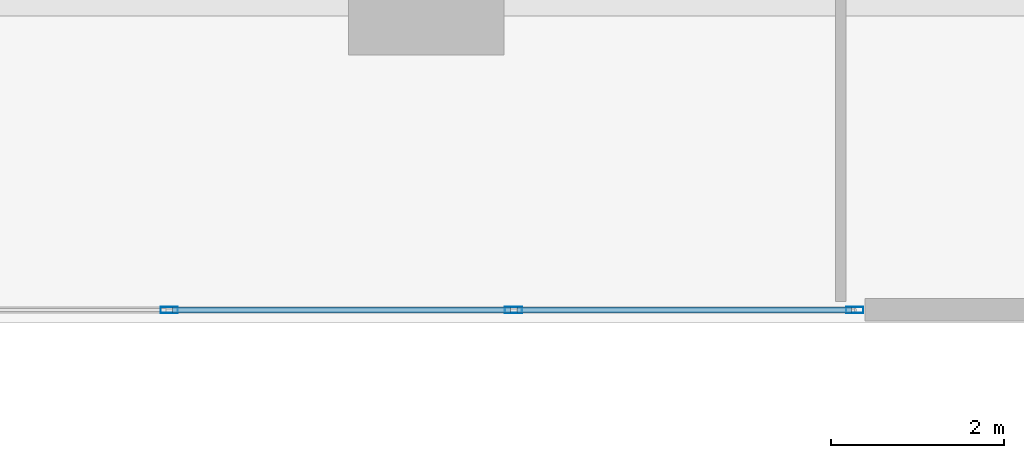
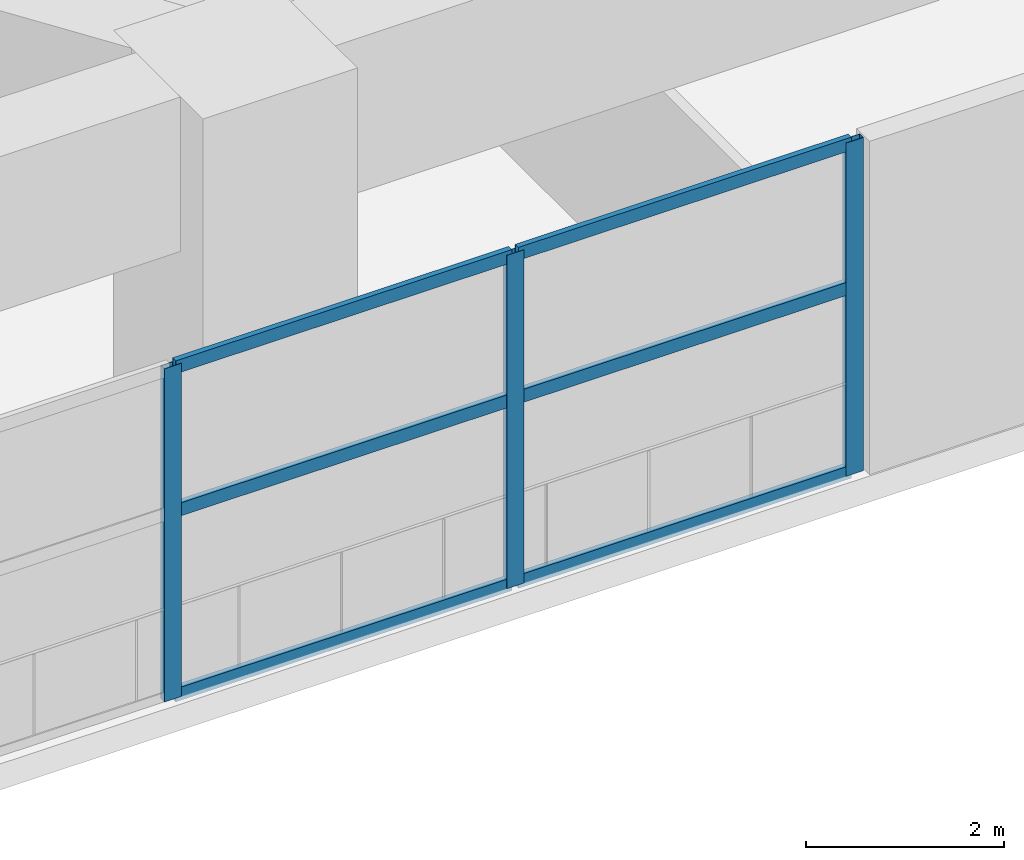
# One storey, part 8 of 27: 9 members, 1 element without a shape of its own.
"""IFC4 building model written with IfcOpenShell, lengths in metres."""

import ifcopenshell
import ifcopenshell.guid

model = None  # the IFC model being written
_history = None  # IfcOwnerHistory: only IFC2X3 demands one
_inside = {}  # id of a spatial element -> (the spatial element, [elements in it])
_under = {}  # id of a project, library or spatial element -> (it, [spatial elements below it])
_declared = {}  # id of a project -> (the project, [libraries it declares])
_typed = {}  # id of a type object -> (the type object, [elements of that type])
_made_of = {}  # id of a material, layer set ... -> (it, [elements and type objects made of it])


def new_model(schema):
    """Start an empty IFC model of exactly this schema.

    Asked for "IFC4X3", IfcOpenShell would pick the latest addendum, in which some entities
    have other attributes; the version numbers below select the first issue.
    IFC2X3 requires an IfcOwnerHistory on every rooted entity: one is made here for all.
    """
    global model, _history
    if schema == "IFC4X3":
        model = ifcopenshell.file(schema_version=(4, 3, 0, 0))
    else:
        model = ifcopenshell.file(schema=schema)
    _inside.clear()
    _under.clear()
    _declared.clear()
    _typed.clear()
    _made_of.clear()
    _history = None
    if model.schema == "IFC2X3":
        org = make("IfcOrganization", Name="unknown")
        user = make(
            "IfcPersonAndOrganization",
            ThePerson=make("IfcPerson", FamilyName="unknown"),
            TheOrganization=org,
        )
        app = make(
            "IfcApplication",
            ApplicationDeveloper=org,
            Version="unknown",
            ApplicationFullName="unknown",
            ApplicationIdentifier="unknown",
        )
        _history = make(
            "IfcOwnerHistory",
            OwningUser=user,
            OwningApplication=app,
            ChangeAction="ADDED",
            CreationDate=0,
        )
    return model


def make(cls, **values):
    """One entity of the class cls with the attributes given. An attribute that is None is left unset."""
    return model.create_entity(
        cls, **{name: value for name, value in values.items() if value is not None}
    )


def rooted(cls, **values):
    """An entity with a GlobalId (a new one), such as an element, a storey or a relation."""
    return make(cls, GlobalId=ifcopenshell.guid.new(), OwnerHistory=_history, **values)


def si_unit(unit_type, name, prefix=None):
    """IfcSIUnit, for example si_unit("LENGTHUNIT", "METRE", prefix="MILLI")."""
    return make("IfcSIUnit", UnitType=unit_type, Prefix=prefix, Name=name)


def assignment(units):
    """IfcUnitAssignment: the units of a project."""
    return None if units is None else make("IfcUnitAssignment", Units=units)


def point(xyz):
    """IfcCartesianPoint."""
    return None if xyz is None else make("IfcCartesianPoint", Coordinates=xyz)


def direction(xyz):
    """IfcDirection."""
    return None if xyz is None else make("IfcDirection", DirectionRatios=xyz)


def frame(location, z_axis=None, x_axis=None):
    """IfcAxis2Placement3D, a coordinate frame: its origin and axes. An axis left out is left unset."""
    return make(
        "IfcAxis2Placement3D",
        Location=point(location),
        Axis=direction(z_axis),
        RefDirection=direction(x_axis),
    )


def frame_2d(location, x_axis=None):
    """IfcAxis2Placement2D, a coordinate frame in the plane: its origin and x axis."""
    return make(
        "IfcAxis2Placement2D", Location=point(location), RefDirection=direction(x_axis)
    )


def origin():
    """The frame at (0, 0, 0) with its axes left unset."""
    return frame((0.0, 0.0, 0.0))


def origin_2d():
    """The frame at (0, 0) in the plane with its x axis left unset."""
    return frame_2d((0.0, 0.0))


def place(relative_to, where):
    """IfcLocalPlacement: puts the frame where relative to a parent placement (None: the world)."""
    return make(
        "IfcLocalPlacement", PlacementRelTo=relative_to, RelativePlacement=where
    )


def context(
    kind, dimensions, precision=None, world=None, true_north=None, identifier=None
):
    """IfcGeometricRepresentationContext, for example the 3D "Model" context."""
    return make(
        "IfcGeometricRepresentationContext",
        ContextIdentifier=identifier,
        ContextType=kind,
        CoordinateSpaceDimension=dimensions,
        Precision=precision,
        WorldCoordinateSystem=world,
        TrueNorth=true_north,
    )


def subcontext(parent, identifier, kind, view, scale=None):
    """IfcGeometricRepresentationSubContext, for example "Body" below "Model"."""
    return make(
        "IfcGeometricRepresentationSubContext",
        ContextIdentifier=identifier,
        ContextType=kind,
        ParentContext=parent,
        TargetScale=scale,
        TargetView=view,
    )


def project(units=None, contexts=None):
    """IfcProject with its units and contexts."""
    return rooted(
        "IfcProject",
        Name="project",
        RepresentationContexts=contexts,
        UnitsInContext=assignment(units),
    )


def spatial(cls, under=None, at=None, **own):
    """A site, building, storey or space (cls), placed at a placement, below another one or the project."""
    s = rooted(cls, ObjectPlacement=at, **own)
    if under is not None:
        _under.setdefault(under.id(), (under, []))[1].append(s)
    return s


def profile(cls, at=None, kind="AREA", **sizes):
    """A parametric profile (cls). Its sizes go by their IFC names, for example OverallWidth=200.0."""
    return make(cls, ProfileType=kind, Position=at, **sizes)


def hollow_rectangle(**sizes):
    """IfcRectangleHollowProfileDef."""
    return profile("IfcRectangleHollowProfileDef", **sizes)


def extrude(swept, where, along, depth):
    """IfcExtrudedAreaSolid: the profile swept, set in the frame where, extruded along a direction by depth."""
    return make(
        "IfcExtrudedAreaSolid",
        SweptArea=swept,
        Position=where,
        ExtrudedDirection=direction(along),
        Depth=depth,
    )


def shape(context_of_items, identifier, shape_type, items):
    """IfcShapeRepresentation: the items that make up one representation, for example the "Body"."""
    return make(
        "IfcShapeRepresentation",
        ContextOfItems=context_of_items,
        RepresentationIdentifier=identifier,
        RepresentationType=shape_type,
        Items=items,
    )


def material(Name=None, Category=None):
    """IfcMaterial."""
    return make("IfcMaterial", Name=Name, Category=Category)


def layer(
    of_material, thickness, ventilated=None, Name=None, Category=None, Priority=None
):
    """IfcMaterialLayer: one layer of a wall or slab, of a material (None: an air gap)."""
    return make(
        "IfcMaterialLayer",
        Material=of_material,
        LayerThickness=thickness,
        IsVentilated=ventilated,
        Name=Name,
        Category=Category,
        Priority=Priority,
    )


def layer_set(layers, Name=None):
    """IfcMaterialLayerSet."""
    return make("IfcMaterialLayerSet", MaterialLayers=layers, LayerSetName=Name)


def material_profile(
    of_material, cross_section, Name=None, Category=None, Priority=None
):
    """IfcMaterialProfile: a cross section and its material."""
    return make(
        "IfcMaterialProfile",
        Name=Name,
        Material=of_material,
        Profile=cross_section,
        Priority=Priority,
        Category=Category,
    )


def profile_set(profiles, Name=None, composite=None):
    """IfcMaterialProfileSet."""
    return make(
        "IfcMaterialProfileSet",
        Name=Name,
        MaterialProfiles=profiles,
        CompositeProfile=composite,
    )


def made_of(thing, what):
    """Note that an element or type object is made of a material, layer set ...; save() writes the relation."""
    if what is not None:
        _made_of.setdefault(what.id(), (what, []))[1].append(thing)
    return thing


def type_object(cls, material=None, **own):
    """A type object (cls), such as IfcWallType, which elements share."""
    return made_of(rooted(cls, **own), material)


def element(
    cls,
    number,
    at=None,
    inside=None,
    cuts=None,
    type_object=None,
    material=None,
    context=None,
    identifier="Body",
    shape_type=None,
    held_by="IfcProductDefinitionShape",
    body=None,
    shapes=None,
    **own,
):
    """One element of the class cls, such as IfcWall. Its Tag is "e" and its number.

    at: its placement. inside: the storey or other place that contains it. cuts: it is an
    opening in that element (IfcRelVoidsElement). A single representation is given by context,
    identifier, shape_type and body (its items); several are given by shapes. held_by: the class
    of the entity that holds the representations. save() writes the other relations.
    """
    e = rooted(cls, Tag="e%d" % number, ObjectPlacement=at, **own)
    if body is not None:
        shapes = [shape(context, identifier, shape_type, body)]
    if shapes is not None:
        e.Representation = make(held_by, Representations=shapes)
    if inside is not None:
        _inside.setdefault(inside.id(), (inside, []))[1].append(e)
    if cuts is not None:
        rooted(
            "IfcRelVoidsElement", RelatingBuildingElement=cuts, RelatedOpeningElement=e
        )
    if type_object is not None:
        _typed.setdefault(type_object.id(), (type_object, []))[1].append(e)
    return made_of(e, material)


def aggregate(whole, parts):
    """IfcRelAggregates: a whole, such as a stair, and the parts it consists of."""
    return rooted("IfcRelAggregates", RelatingObject=whole, RelatedObjects=parts)


def save(model, path):
    """Write the relations noted so far, then the file.

    IfcRelAggregates (storeys below a building ...), IfcRelContainedInSpatialStructure (elements
    in a storey), IfcRelDefinesByType, IfcRelAssociatesMaterial and IfcRelDeclares: one each for
    every whole, place, type object, material and project.
    """
    for whole, parts in _under.values():
        aggregate(whole, parts)
    for where, things in _inside.values():
        rooted(
            "IfcRelContainedInSpatialStructure",
            RelatedElements=things,
            RelatingStructure=where,
        )
    for kind, things in _typed.values():
        rooted("IfcRelDefinesByType", RelatedObjects=things, RelatingType=kind)
    for what, things in _made_of.values():
        rooted("IfcRelAssociatesMaterial", RelatedObjects=things, RelatingMaterial=what)
    for by, libraries in _declared.values():
        rooted("IfcRelDeclares", RelatingContext=by, RelatedDefinitions=libraries)
    model.write(path)


model = new_model("IFC4")

# Units and contexts
model_context = context("Model", 3, precision=1e-05, world=origin(), true_north=direction((0.0, 1.0)))
body_context = subcontext(model_context, "Body", "Model", "MODEL_VIEW")
ifc_project = project(units=[si_unit("LENGTHUNIT", "METRE"), si_unit("AREAUNIT", "SQUARE_METRE"), si_unit("VOLUMEUNIT", "CUBIC_METRE"), si_unit("PLANEANGLEUNIT", "RADIAN"), si_unit("MASSUNIT", "GRAM", prefix="KILO")], contexts=[model_context])

# Site, building, storey
site_placement = place(None, origin())
site = spatial("IfcSite", under=ifc_project, at=site_placement, CompositionType="ELEMENT")
building_placement = place(site_placement, origin())
building = spatial("IfcBuilding", under=site, at=building_placement, Name="Solvane Sanctuary Tower", CompositionType="ELEMENT")
storey_placement = place(building_placement, frame((0.0, 0.0, 23.0)))
storey = spatial("IfcBuildingStorey", under=building, at=storey_placement, Name="L06", CompositionType="ELEMENT", Elevation=23.0)

# Curtain wall, members
ifc_material = material(Name="Anodised Aluminium 6063-T6", Category="aluminium")
ifc_layer = layer(ifc_material, 0.159912109375, Name="Anodised Aluminium 6063-T6")
ifc_layer_set = layer_set([ifc_layer], Name="Anodised Aluminium 6063-T6")
curtain_wall_type = type_object("IfcCurtainWallType", Name="Curtain Wall CW-POD", PredefinedType="NOTDEFINED", material=ifc_layer_set)
curtain_wall_placement = place(storey_placement, origin())
curtain_wall = element("IfcCurtainWall", 1, at=curtain_wall_placement, inside=storey, type_object=curtain_wall_type, Name="L06 Sanctuary Curtain Wall S2", PredefinedType="NOTDEFINED")
ifc_material_profile_1 = material_profile(ifc_material, hollow_rectangle(XDim=0.074951171875, YDim=0.199951171875, WallThickness=0.00390625, at=origin_2d()), Name="ALU200X75X4")
ifc_profile_set_1 = profile_set([ifc_material_profile_1], Name="Anodised Aluminium 6063-T6")
member_type_1 = type_object("IfcMemberType", Name="Member M-CW-MUL-1 ALU200X75X4", PredefinedType="MULLION", material=ifc_profile_set_1)
member_1_placement = place(storey_placement, frame((36.026611328125, 0.14990234375, 0.0), z_axis=(0.0, 0.0, 1.0), x_axis=(0.0, 1.0, 0.0)))
member_1 = element("IfcMember", 2, at=member_1_placement, type_object=member_type_1, Name="CW-POD mullion 5", PredefinedType="MULLION", context=body_context, shape_type="SweptSolid", body=[
    extrude(hollow_rectangle(XDim=0.074951171875, YDim=0.199951171875, WallThickness=0.00390625, at=origin_2d()), origin(), (0.0, 0.0, 1.0), 4.10009765625),
])
member_2_placement = place(storey_placement, frame((40.013427734375, 0.14990234375, 0.0), z_axis=(0.0, 0.0, 1.0), x_axis=(0.0, 1.0, 0.0)))
member_2 = element("IfcMember", 3, at=member_2_placement, type_object=member_type_1, Name="CW-POD mullion 6", PredefinedType="MULLION", context=body_context, shape_type="SweptSolid", body=[
    extrude(hollow_rectangle(XDim=0.074951171875, YDim=0.199951171875, WallThickness=0.00390625, at=origin_2d()), origin(), (0.0, 0.0, 1.0), 4.10009765625),
])
member_3_placement = place(storey_placement, frame((43.96240234375, 0.14990234375, 0.0), z_axis=(0.0, 0.0, 1.0), x_axis=(0.0, 1.0, 0.0)))
member_3 = element("IfcMember", 4, at=member_3_placement, type_object=member_type_1, Name="CW-POD mullion 7", PredefinedType="MULLION", context=body_context, shape_type="SweptSolid", body=[
    extrude(hollow_rectangle(XDim=0.074951171875, YDim=0.199951171875, WallThickness=0.00390625, at=origin_2d()), origin(), (0.0, 0.0, 1.0), 4.10009765625),
])
ifc_material_profile_2 = material_profile(ifc_material, hollow_rectangle(XDim=0.06494140625, YDim=0.159912109375, WallThickness=0.00341796875, at=origin_2d()), Name="ALU160X65X3.5")
ifc_profile_set_2 = profile_set([ifc_material_profile_2], Name="Anodised Aluminium 6063-T6")
member_type_2 = type_object("IfcMemberType", Name="Member M-CW-TRN-1 ALU160X65X3.5", PredefinedType="USERDEFINED", material=ifc_profile_set_2)
member_4_placement = place(storey_placement, frame((36.064208984375, 0.14990234375, 0.032470703125), z_axis=(1.0, 0.0, 0.0), x_axis=(0.0, 1.0, 0.0)))
member_4 = element("IfcMember", 5, at=member_4_placement, type_object=member_type_2, Name="CW-POD transom 5.1", ObjectType="TRANSOM", PredefinedType="USERDEFINED", context=body_context, shape_type="SweptSolid", body=[
    extrude(hollow_rectangle(XDim=0.06494140625, YDim=0.159912109375, WallThickness=0.00341796875, at=origin_2d()), origin(), (0.0, 0.0, 1.0), 3.91162109375),
])
member_5_placement = place(storey_placement, frame((36.064208984375, 0.14990234375, 2.300048828125), z_axis=(1.0, 0.0, 0.0), x_axis=(0.0, 1.0, 0.0)))
member_5 = element("IfcMember", 6, at=member_5_placement, type_object=member_type_2, Name="CW-POD transom 5.2", ObjectType="TRANSOM", PredefinedType="USERDEFINED", context=body_context, shape_type="SweptSolid", body=[
    extrude(hollow_rectangle(XDim=0.06494140625, YDim=0.159912109375, WallThickness=0.00341796875, at=origin_2d()), origin(), (0.0, 0.0, 1.0), 3.91162109375),
])
member_6_placement = place(storey_placement, frame((36.064208984375, 0.14990234375, 4.0673828125), z_axis=(1.0, 0.0, 0.0), x_axis=(0.0, 1.0, 0.0)))
member_6 = element("IfcMember", 7, at=member_6_placement, type_object=member_type_2, Name="CW-POD transom 5.3", ObjectType="TRANSOM", PredefinedType="USERDEFINED", context=body_context, shape_type="SweptSolid", body=[
    extrude(hollow_rectangle(XDim=0.06494140625, YDim=0.159912109375, WallThickness=0.00341796875, at=origin_2d()), origin(), (0.0, 0.0, 1.0), 3.91162109375),
])
member_7_placement = place(storey_placement, frame((40.05078125, 0.14990234375, 0.032470703125), z_axis=(1.0, 0.0, 0.0), x_axis=(0.0, 1.0, 0.0)))
member_7 = element("IfcMember", 8, at=member_7_placement, type_object=member_type_2, Name="CW-POD transom 6.1", ObjectType="TRANSOM", PredefinedType="USERDEFINED", context=body_context, shape_type="SweptSolid", body=[
    extrude(hollow_rectangle(XDim=0.06494140625, YDim=0.159912109375, WallThickness=0.00341796875, at=origin_2d()), origin(), (0.0, 0.0, 1.0), 3.874267578125),
])
member_8_placement = place(storey_placement, frame((40.05078125, 0.14990234375, 2.300048828125), z_axis=(1.0, 0.0, 0.0), x_axis=(0.0, 1.0, 0.0)))
member_8 = element("IfcMember", 9, at=member_8_placement, type_object=member_type_2, Name="CW-POD transom 6.2", ObjectType="TRANSOM", PredefinedType="USERDEFINED", context=body_context, shape_type="SweptSolid", body=[
    extrude(hollow_rectangle(XDim=0.06494140625, YDim=0.159912109375, WallThickness=0.00341796875, at=origin_2d()), origin(), (0.0, 0.0, 1.0), 3.874267578125),
])
member_9_placement = place(storey_placement, frame((40.05078125, 0.14990234375, 4.0673828125), z_axis=(1.0, 0.0, 0.0), x_axis=(0.0, 1.0, 0.0)))
member_9 = element("IfcMember", 10, at=member_9_placement, type_object=member_type_2, Name="CW-POD transom 6.3", ObjectType="TRANSOM", PredefinedType="USERDEFINED", context=body_context, shape_type="SweptSolid", body=[
    extrude(hollow_rectangle(XDim=0.06494140625, YDim=0.159912109375, WallThickness=0.00341796875, at=origin_2d()), origin(), (0.0, 0.0, 1.0), 3.874267578125),
])
aggregate(curtain_wall, [member_1, member_2, member_3, member_4, member_5, member_6, member_7, member_8, member_9])

save(model, "model.ifc")
